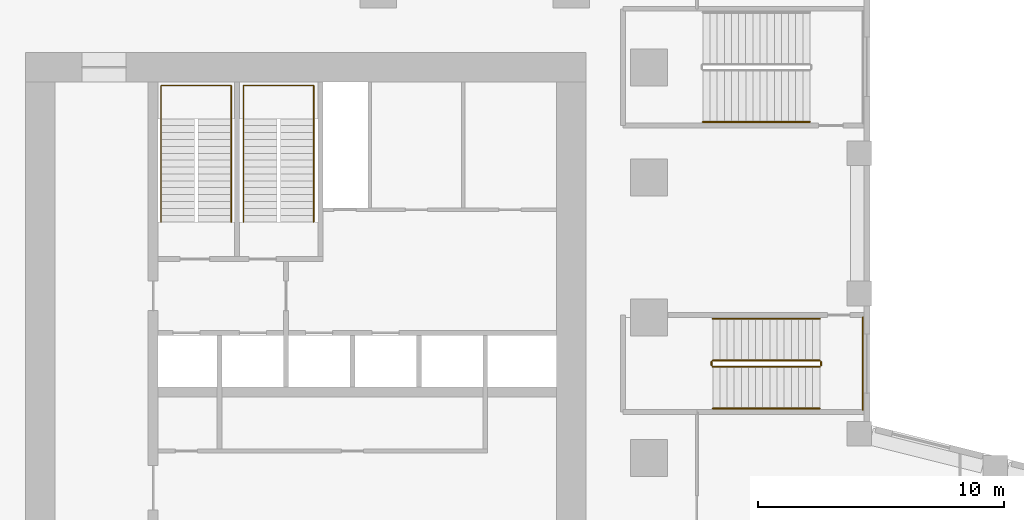
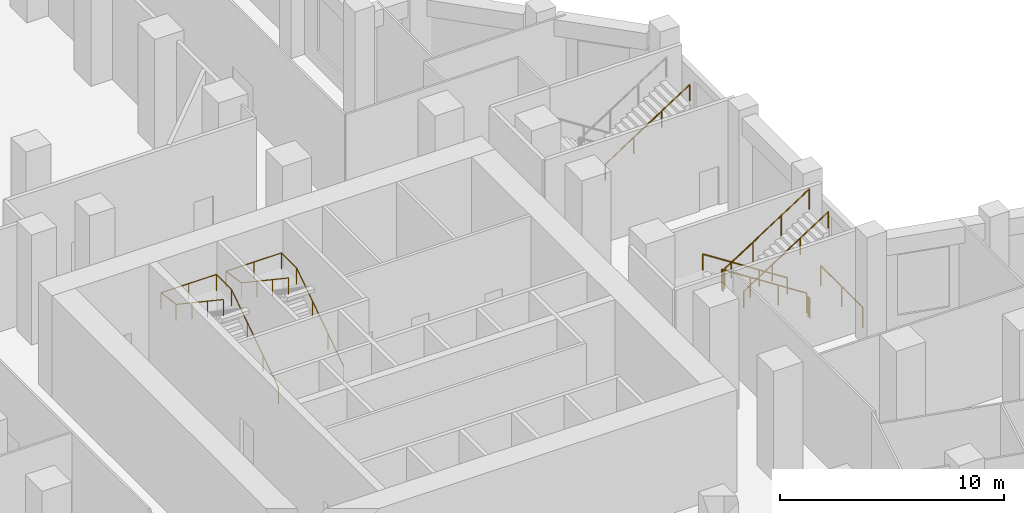
# One storey, part 12 of 15: 10 railings.
"""IFC4 building model written with IfcOpenShell, lengths in metres."""

from ifc_helpers import new_model, si_unit, direction, frame, origin, origin_2d, place, context, subcontext, project, spatial, circle, extrude, material, type_object, element, save


model = new_model("IFC4")

# Units and contexts
model_context = context("Model", 3, precision=1e-05, world=origin(), true_north=direction((0.0, 1.0)))
body_context = subcontext(model_context, "Body", "Model", "MODEL_VIEW")
ifc_project = project(units=[si_unit("LENGTHUNIT", "METRE"), si_unit("AREAUNIT", "SQUARE_METRE"), si_unit("VOLUMEUNIT", "CUBIC_METRE"), si_unit("PLANEANGLEUNIT", "RADIAN"), si_unit("MASSUNIT", "GRAM", prefix="KILO")], contexts=[model_context])

# Site, building, storey
site_placement = place(None, origin())
site = spatial("IfcSite", under=ifc_project, at=site_placement, CompositionType="ELEMENT")
building_placement = place(site_placement, origin())
building = spatial("IfcBuilding", under=site, at=building_placement, Name="Meshkara Civic Tower", CompositionType="ELEMENT")
storey_placement = place(building_placement, frame((0.0, 0.0, 12.60009765625)))
storey = spatial("IfcBuildingStorey", under=building, at=storey_placement, Name="L02", CompositionType="ELEMENT", Elevation=12.60009765625)

# Railings
ifc_material_1 = material(Name="Steel guard", Category="steel")
railing_type_1 = type_object("IfcRailingType", Name="Podium stair guard 1100", PredefinedType="GUARDRAIL", material=ifc_material_1)
railing_1_placement = place(storey_placement, frame((40.300048828125, 24.375, 0.1875)))
element("IfcRailing", 1, at=railing_1_placement, inside=storey, type_object=railing_type_1, Name="L02 PS5 stair guard 1", PredefinedType="GUARDRAIL", context=body_context, shape_type="SweptSolid", body=[
    extrude(circle(Radius=0.02392578125, at=origin_2d()), frame((0.0, 0.0, 1.076171875), z_axis=(-0.839769887392, 0.0, 0.54294247967), x_axis=(0.0, -1.0, 0.0)), (0.0, 0.0, 1.0), 5.18017578125),
    extrude(circle(Radius=0.02099609375, at=origin_2d()), origin(), (0.0, 0.0, 1.0), 1.052001953125),
    extrude(circle(Radius=0.02099609375, at=origin_2d()), frame((-1.449951171875, 0.0, 0.9375)), (0.0, 0.0, 1.0), 1.052001953125),
    extrude(circle(Radius=0.02099609375, at=origin_2d()), frame((-2.900146484375, 0.0, 1.875)), (0.0, 0.0, 1.0), 1.052001953125),
    extrude(circle(Radius=0.02099609375, at=origin_2d()), frame((-4.35009765625, 0.0, 2.8125)), (0.0, 0.0, 1.0), 1.052001953125),
])
railing_2_placement = place(storey_placement, frame((35.89990234375, 24.324951171875, 3.0)))
element("IfcRailing", 2, at=railing_2_placement, inside=storey, type_object=railing_type_1, Name="L02 PS5 stair guard 2", PredefinedType="GUARDRAIL", context=body_context, shape_type="SweptSolid", body=[
    extrude(circle(Radius=0.02392578125, at=origin_2d()), frame((0.0, 0.0, 1.076171875), z_axis=(0.0, -1.0, 0.0), x_axis=(1.0, 0.0, 0.0)), (0.0, 0.0, 1.0), 0.14990234375),
    extrude(circle(Radius=0.02099609375, at=origin_2d()), origin(), (0.0, 0.0, 1.0), 1.052001953125),
    extrude(circle(Radius=0.02099609375, at=origin_2d()), frame((0.0, -0.14990234375, 0.0)), (0.0, 0.0, 1.0), 1.052001953125),
])
railing_3_placement = place(storey_placement, frame((35.949951171875, 24.125, 3.1875)))
element("IfcRailing", 3, at=railing_3_placement, inside=storey, type_object=railing_type_1, Name="L02 PS5 stair guard 3", PredefinedType="GUARDRAIL", context=body_context, shape_type="SweptSolid", body=[
    extrude(circle(Radius=0.02392578125, at=origin_2d()), frame((0.0, 0.0, 1.076171875), z_axis=(0.839769887392, 0.0, 0.54294247967), x_axis=(0.0, 1.0, 0.0)), (0.0, 0.0, 1.0), 5.18017578125),
    extrude(circle(Radius=0.02099609375, at=origin_2d()), origin(), (0.0, 0.0, 1.0), 1.052001953125),
    extrude(circle(Radius=0.02099609375, at=origin_2d()), frame((1.449951171875, 0.0, 0.9375)), (0.0, 0.0, 1.0), 1.052001953125),
    extrude(circle(Radius=0.02099609375, at=origin_2d()), frame((2.900146484375, 0.0, 1.875)), (0.0, 0.0, 1.0), 1.052001953125),
    extrude(circle(Radius=0.02099609375, at=origin_2d()), frame((4.35009765625, 0.0, 2.8125)), (0.0, 0.0, 1.0), 1.052001953125),
])
railing_4_placement = place(storey_placement, frame((40.35009765625, 24.324951171875, 0.0)))
element("IfcRailing", 4, at=railing_4_placement, inside=storey, type_object=railing_type_1, Name="L02 PS5 stair guard 4", PredefinedType="GUARDRAIL", context=body_context, shape_type="SweptSolid", body=[
    extrude(circle(Radius=0.02392578125, at=origin_2d()), frame((0.0, 0.0, 1.076171875), z_axis=(0.0, -1.0, 0.0), x_axis=(1.0, 0.0, 0.0)), (0.0, 0.0, 1.0), 0.14990234375),
    extrude(circle(Radius=0.02099609375, at=origin_2d()), origin(), (0.0, 0.0, 1.0), 1.052001953125),
    extrude(circle(Radius=0.02099609375, at=origin_2d()), frame((0.0, -0.14990234375, 0.0)), (0.0, 0.0, 1.0), 1.052001953125),
])
railing_5_placement = place(storey_placement, frame((42.050048828125, 26.125, 0.0)))
element("IfcRailing", 5, at=railing_5_placement, inside=storey, type_object=railing_type_1, Name="L02 PS5 stair guard 5", PredefinedType="GUARDRAIL", context=body_context, shape_type="SweptSolid", body=[
    extrude(circle(Radius=0.02392578125, at=origin_2d()), frame((0.0, 0.0, 1.076171875), z_axis=(0.0, -1.0, 0.0), x_axis=(1.0, 0.0, 0.0)), (0.0, 0.0, 1.0), 3.75),
    extrude(circle(Radius=0.02099609375, at=origin_2d()), origin(), (0.0, 0.0, 1.0), 1.052001953125),
    extrude(circle(Radius=0.02099609375, at=origin_2d()), frame((0.0, -1.875, 0.0)), (0.0, 0.0, 1.0), 1.052001953125),
    extrude(circle(Radius=0.02099609375, at=origin_2d()), frame((0.0, -3.75, 0.0)), (0.0, 0.0, 1.0), 1.052001953125),
])
ifc_material_2 = material(Name="Steel handrail", Category="steel")
railing_type_2 = type_object("IfcRailingType", Name="Podium stair handrail 900", PredefinedType="HANDRAIL", material=ifc_material_2)
railing_6_placement = place(storey_placement, frame((40.300048828125, 26.074951171875, 0.1875)))
element("IfcRailing", 6, at=railing_6_placement, inside=storey, type_object=railing_type_2, Name="L02 PS5 stair handrail 1", PredefinedType="HANDRAIL", context=body_context, shape_type="SweptSolid", body=[
    extrude(circle(Radius=0.02392578125, at=origin_2d()), frame((0.0, 0.0, 0.8759765625), z_axis=(-0.839769887392, 0.0, 0.54294247967), x_axis=(0.0, -1.0, 0.0)), (0.0, 0.0, 1.0), 5.18017578125),
    extrude(circle(Radius=0.02099609375, at=origin_2d()), origin(), (0.0, 0.0, 1.0), 0.851806640625),
    extrude(circle(Radius=0.02099609375, at=origin_2d()), frame((-1.449951171875, 0.0, 0.9375)), (0.0, 0.0, 1.0), 0.851806640625),
    extrude(circle(Radius=0.02099609375, at=origin_2d()), frame((-2.900146484375, 0.0, 1.875)), (0.0, 0.0, 1.0), 0.851806640625),
    extrude(circle(Radius=0.02099609375, at=origin_2d()), frame((-4.35009765625, 0.0, 2.8125)), (0.0, 0.0, 1.0), 0.851806640625),
])
railing_7_placement = place(storey_placement, frame((35.949951171875, 22.425048828125, 3.1875)))
element("IfcRailing", 7, at=railing_7_placement, inside=storey, type_object=railing_type_2, Name="L02 PS5 stair handrail 2", PredefinedType="HANDRAIL", context=body_context, shape_type="SweptSolid", body=[
    extrude(circle(Radius=0.02392578125, at=origin_2d()), frame((0.0, 0.0, 0.8759765625), z_axis=(0.839769887392, 0.0, 0.54294247967), x_axis=(0.0, 1.0, 0.0)), (0.0, 0.0, 1.0), 5.18017578125),
    extrude(circle(Radius=0.02099609375, at=origin_2d()), origin(), (0.0, 0.0, 1.0), 0.851806640625),
    extrude(circle(Radius=0.02099609375, at=origin_2d()), frame((1.449951171875, 0.0, 0.9375)), (0.0, 0.0, 1.0), 0.851806640625),
    extrude(circle(Radius=0.02099609375, at=origin_2d()), frame((2.900146484375, 0.0, 1.875)), (0.0, 0.0, 1.0), 0.851806640625),
    extrude(circle(Radius=0.02099609375, at=origin_2d()), frame((4.35009765625, 0.0, 2.8125)), (0.0, 0.0, 1.0), 0.851806640625),
])
railing_8_placement = place(storey_placement, frame((35.550048828125, 34.074951171875, 3.1875)))
element("IfcRailing", 8, at=railing_8_placement, inside=storey, type_object=railing_type_2, Name="L02 PS6 stair handrail 2", PredefinedType="HANDRAIL", context=body_context, shape_type="SweptSolid", body=[
    extrude(circle(Radius=0.02392578125, at=origin_2d()), frame((0.0, 0.0, 0.8759765625), z_axis=(0.839755993153, 0.0, 0.542963969306), x_axis=(0.0, 1.0, 0.0)), (0.0, 0.0, 1.0), 5.179931640625),
    extrude(circle(Radius=0.02099609375, at=origin_2d()), origin(), (0.0, 0.0, 1.0), 0.851806640625),
    extrude(circle(Radius=0.02099609375, at=origin_2d()), frame((1.449951171875, 0.0, 0.9375)), (0.0, 0.0, 1.0), 0.851806640625),
    extrude(circle(Radius=0.02099609375, at=origin_2d()), frame((2.89990234375, 0.0, 1.875)), (0.0, 0.0, 1.0), 0.851806640625),
    extrude(circle(Radius=0.02099609375, at=origin_2d()), frame((4.349853515625, 0.0, 2.8125)), (0.0, 0.0, 1.0), 0.851806640625),
])
ifc_material_3 = material(Name="Steel handrail", Category="steel")
railing_type_3 = type_object("IfcRailingType", Name="Stair handrail 900", PredefinedType="HANDRAIL", material=ifc_material_3)
railing_9_placement = place(storey_placement, frame((16.375, 30.0, 0.1875)))
element("IfcRailing", 9, at=railing_9_placement, inside=storey, type_object=railing_type_3, Name="L02 ST1 stair handrail 1", PredefinedType="HANDRAIL", context=body_context, shape_type="SweptSolid", body=[
    extrude(circle(Radius=0.02392578125, at=origin_2d()), frame((0.0, 0.0, 0.8759765625), z_axis=(0.0, 0.830904186295, 0.556415522067), x_axis=(-1.0, 0.0, 0.0)), (0.0, 0.0, 1.0), 5.0546875),
    extrude(circle(Radius=0.02392578125, at=origin_2d()), frame((0.0, 4.199951171875, 3.6884765625), z_axis=(0.0, 1.0, 0.0), x_axis=(-1.0, 0.0, 0.0)), (0.0, 0.0, 1.0), 1.35009765625),
    extrude(circle(Radius=0.02392578125, at=origin_2d()), frame((0.0, 5.550048828125, 3.6884765625), z_axis=(-1.0, 0.0, 0.0), x_axis=(0.0, -1.0, 0.0)), (0.0, 0.0, 1.0), 2.85009765625),
    extrude(circle(Radius=0.02392578125, at=origin_2d()), frame((-2.85009765625, 5.550048828125, 3.6884765625), z_axis=(0.0, -0.990493629017, 0.137558608876), x_axis=(1.0, 0.0, 0.0)), (0.0, 0.0, 1.0), 1.363037109375),
    extrude(circle(Radius=0.02392578125, at=origin_2d()), frame((-2.85009765625, 4.199951171875, 3.8759765625), z_axis=(0.0, -0.830904186295, 0.556415522067), x_axis=(1.0, 0.0, 0.0)), (0.0, 0.0, 1.0), 5.0546875),
    extrude(circle(Radius=0.02099609375, at=origin_2d()), origin(), (0.0, 0.0, 1.0), 0.851806640625),
    extrude(circle(Radius=0.02099609375, at=origin_2d()), frame((0.0, 1.39990234375, 0.9375)), (0.0, 0.0, 1.0), 0.851806640625),
    extrude(circle(Radius=0.02099609375, at=origin_2d()), frame((0.0, 2.800048828125, 1.875)), (0.0, 0.0, 1.0), 0.851806640625),
    extrude(circle(Radius=0.02099609375, at=origin_2d()), frame((0.0, 4.199951171875, 2.8125)), (0.0, 0.0, 1.0), 0.851806640625),
    extrude(circle(Radius=0.02099609375, at=origin_2d()), frame((0.0, 5.550048828125, 2.8125)), (0.0, 0.0, 1.0), 0.851806640625),
    extrude(circle(Radius=0.02099609375, at=origin_2d()), frame((-1.425048828125, 5.550048828125, 2.8125)), (0.0, 0.0, 1.0), 0.851806640625),
    extrude(circle(Radius=0.02099609375, at=origin_2d()), frame((-2.85009765625, 5.550048828125, 2.8125)), (0.0, 0.0, 1.0), 0.851806640625),
    extrude(circle(Radius=0.02099609375, at=origin_2d()), frame((-2.85009765625, 4.199951171875, 3.0)), (0.0, 0.0, 1.0), 0.851806640625),
    extrude(circle(Radius=0.02099609375, at=origin_2d()), frame((-2.85009765625, 2.800048828125, 3.9375)), (0.0, 0.0, 1.0), 0.851806640625),
    extrude(circle(Radius=0.02099609375, at=origin_2d()), frame((-2.85009765625, 1.39990234375, 4.875)), (0.0, 0.0, 1.0), 0.851806640625),
    extrude(circle(Radius=0.02099609375, at=origin_2d()), frame((-2.85009765625, 0.0, 5.8125)), (0.0, 0.0, 1.0), 0.851806640625),
])
railing_10_placement = place(storey_placement, frame((19.72509765625, 30.0, 0.1875)))
element("IfcRailing", 10, at=railing_10_placement, inside=storey, type_object=railing_type_3, Name="L02 ST2 stair handrail 1", PredefinedType="HANDRAIL", context=body_context, shape_type="SweptSolid", body=[
    extrude(circle(Radius=0.02392578125, at=origin_2d()), frame((0.0, 0.0, 0.8759765625), z_axis=(0.0, 0.830904186295, 0.556415522067), x_axis=(-1.0, 0.0, 0.0)), (0.0, 0.0, 1.0), 5.0546875),
    extrude(circle(Radius=0.02392578125, at=origin_2d()), frame((0.0, 4.199951171875, 3.6884765625), z_axis=(0.0, 1.0, 0.0), x_axis=(-1.0, 0.0, 0.0)), (0.0, 0.0, 1.0), 1.35009765625),
    extrude(circle(Radius=0.02392578125, at=origin_2d()), frame((0.0, 5.550048828125, 3.6884765625), z_axis=(-1.0, 0.0, 0.0), x_axis=(0.0, -1.0, 0.0)), (0.0, 0.0, 1.0), 2.85009765625),
    extrude(circle(Radius=0.02392578125, at=origin_2d()), frame((-2.85009765625, 5.550048828125, 3.6884765625), z_axis=(0.0, -0.990493629017, 0.137558608876), x_axis=(1.0, 0.0, 0.0)), (0.0, 0.0, 1.0), 1.363037109375),
    extrude(circle(Radius=0.02392578125, at=origin_2d()), frame((-2.85009765625, 4.199951171875, 3.8759765625), z_axis=(0.0, -0.830904186295, 0.556415522067), x_axis=(1.0, 0.0, 0.0)), (0.0, 0.0, 1.0), 5.0546875),
    extrude(circle(Radius=0.02099609375, at=origin_2d()), origin(), (0.0, 0.0, 1.0), 0.851806640625),
    extrude(circle(Radius=0.02099609375, at=origin_2d()), frame((0.0, 1.39990234375, 0.9375)), (0.0, 0.0, 1.0), 0.851806640625),
    extrude(circle(Radius=0.02099609375, at=origin_2d()), frame((0.0, 2.800048828125, 1.875)), (0.0, 0.0, 1.0), 0.851806640625),
    extrude(circle(Radius=0.02099609375, at=origin_2d()), frame((0.0, 4.199951171875, 2.8125)), (0.0, 0.0, 1.0), 0.851806640625),
    extrude(circle(Radius=0.02099609375, at=origin_2d()), frame((0.0, 5.550048828125, 2.8125)), (0.0, 0.0, 1.0), 0.851806640625),
    extrude(circle(Radius=0.02099609375, at=origin_2d()), frame((-1.425048828125, 5.550048828125, 2.8125)), (0.0, 0.0, 1.0), 0.851806640625),
    extrude(circle(Radius=0.02099609375, at=origin_2d()), frame((-2.85009765625, 5.550048828125, 2.8125)), (0.0, 0.0, 1.0), 0.851806640625),
    extrude(circle(Radius=0.02099609375, at=origin_2d()), frame((-2.85009765625, 4.199951171875, 3.0)), (0.0, 0.0, 1.0), 0.851806640625),
    extrude(circle(Radius=0.02099609375, at=origin_2d()), frame((-2.85009765625, 2.800048828125, 3.9375)), (0.0, 0.0, 1.0), 0.851806640625),
    extrude(circle(Radius=0.02099609375, at=origin_2d()), frame((-2.85009765625, 1.39990234375, 4.875)), (0.0, 0.0, 1.0), 0.851806640625),
    extrude(circle(Radius=0.02099609375, at=origin_2d()), frame((-2.85009765625, 0.0, 5.8125)), (0.0, 0.0, 1.0), 0.851806640625),
])

save(model, "model.ifc")
